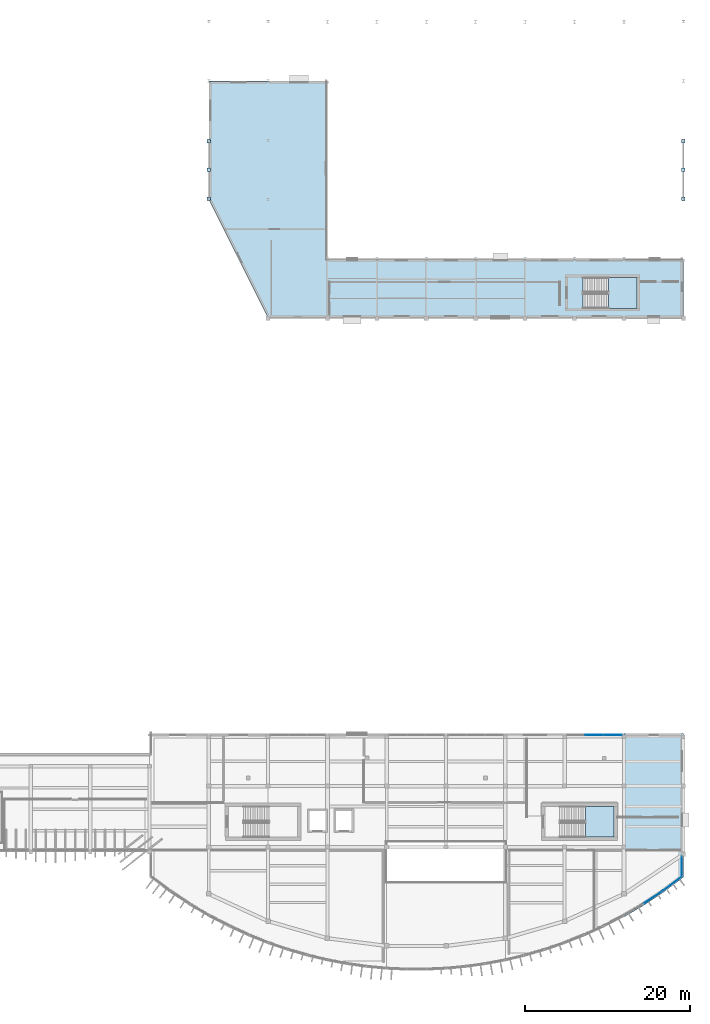
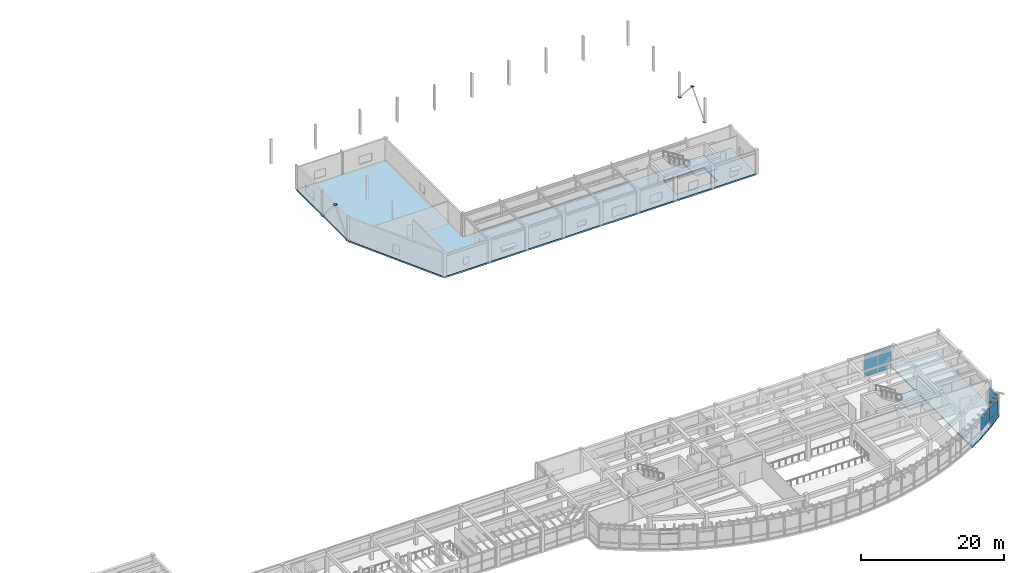
# One storey, part 34 of 60: 20 plates, 4 slabs, 6 elements without a shape of their own.
"""IFC4 building model written with IfcOpenShell, lengths in metres."""

import ifcopenshell
import ifcopenshell.guid

model = None  # the IFC model being written
_history = None  # IfcOwnerHistory: only IFC2X3 demands one
_inside = {}  # id of a spatial element -> (the spatial element, [elements in it])
_under = {}  # id of a project, library or spatial element -> (it, [spatial elements below it])
_declared = {}  # id of a project -> (the project, [libraries it declares])
_typed = {}  # id of a type object -> (the type object, [elements of that type])
_made_of = {}  # id of a material, layer set ... -> (it, [elements and type objects made of it])


def new_model(schema):
    """Start an empty IFC model of exactly this schema.

    Asked for "IFC4X3", IfcOpenShell would pick the latest addendum, in which some entities
    have other attributes; the version numbers below select the first issue.
    IFC2X3 requires an IfcOwnerHistory on every rooted entity: one is made here for all.
    """
    global model, _history
    if schema == "IFC4X3":
        model = ifcopenshell.file(schema_version=(4, 3, 0, 0))
    else:
        model = ifcopenshell.file(schema=schema)
    _inside.clear()
    _under.clear()
    _declared.clear()
    _typed.clear()
    _made_of.clear()
    _history = None
    if model.schema == "IFC2X3":
        org = make("IfcOrganization", Name="unknown")
        user = make(
            "IfcPersonAndOrganization",
            ThePerson=make("IfcPerson", FamilyName="unknown"),
            TheOrganization=org,
        )
        app = make(
            "IfcApplication",
            ApplicationDeveloper=org,
            Version="unknown",
            ApplicationFullName="unknown",
            ApplicationIdentifier="unknown",
        )
        _history = make(
            "IfcOwnerHistory",
            OwningUser=user,
            OwningApplication=app,
            ChangeAction="ADDED",
            CreationDate=0,
        )
    return model


def make(cls, **values):
    """One entity of the class cls with the attributes given. An attribute that is None is left unset."""
    return model.create_entity(
        cls, **{name: value for name, value in values.items() if value is not None}
    )


def rooted(cls, **values):
    """An entity with a GlobalId (a new one), such as an element, a storey or a relation."""
    return make(cls, GlobalId=ifcopenshell.guid.new(), OwnerHistory=_history, **values)


def si_unit(unit_type, name, prefix=None):
    """IfcSIUnit, for example si_unit("LENGTHUNIT", "METRE", prefix="MILLI")."""
    return make("IfcSIUnit", UnitType=unit_type, Prefix=prefix, Name=name)


def assignment(units):
    """IfcUnitAssignment: the units of a project."""
    return None if units is None else make("IfcUnitAssignment", Units=units)


def point(xyz):
    """IfcCartesianPoint."""
    return None if xyz is None else make("IfcCartesianPoint", Coordinates=xyz)


def direction(xyz):
    """IfcDirection."""
    return None if xyz is None else make("IfcDirection", DirectionRatios=xyz)


def frame(location, z_axis=None, x_axis=None):
    """IfcAxis2Placement3D, a coordinate frame: its origin and axes. An axis left out is left unset."""
    return make(
        "IfcAxis2Placement3D",
        Location=point(location),
        Axis=direction(z_axis),
        RefDirection=direction(x_axis),
    )


def frame_2d(location, x_axis=None):
    """IfcAxis2Placement2D, a coordinate frame in the plane: its origin and x axis."""
    return make(
        "IfcAxis2Placement2D", Location=point(location), RefDirection=direction(x_axis)
    )


def origin():
    """The frame at (0, 0, 0) with its axes left unset."""
    return frame((0.0, 0.0, 0.0))


def origin_2d():
    """The frame at (0, 0) in the plane with its x axis left unset."""
    return frame_2d((0.0, 0.0))


def place(relative_to, where):
    """IfcLocalPlacement: puts the frame where relative to a parent placement (None: the world)."""
    return make(
        "IfcLocalPlacement", PlacementRelTo=relative_to, RelativePlacement=where
    )


def context(
    kind, dimensions, precision=None, world=None, true_north=None, identifier=None
):
    """IfcGeometricRepresentationContext, for example the 3D "Model" context."""
    return make(
        "IfcGeometricRepresentationContext",
        ContextIdentifier=identifier,
        ContextType=kind,
        CoordinateSpaceDimension=dimensions,
        Precision=precision,
        WorldCoordinateSystem=world,
        TrueNorth=true_north,
    )


def subcontext(parent, identifier, kind, view, scale=None):
    """IfcGeometricRepresentationSubContext, for example "Body" below "Model"."""
    return make(
        "IfcGeometricRepresentationSubContext",
        ContextIdentifier=identifier,
        ContextType=kind,
        ParentContext=parent,
        TargetScale=scale,
        TargetView=view,
    )


def project(units=None, contexts=None):
    """IfcProject with its units and contexts."""
    return rooted(
        "IfcProject",
        Name="project",
        RepresentationContexts=contexts,
        UnitsInContext=assignment(units),
    )


def spatial(cls, under=None, at=None, **own):
    """A site, building, storey or space (cls), placed at a placement, below another one or the project."""
    s = rooted(cls, ObjectPlacement=at, **own)
    if under is not None:
        _under.setdefault(under.id(), (under, []))[1].append(s)
    return s


def polyline(points):
    """IfcPolyline through the points."""
    return make("IfcPolyline", Points=[point(p) for p in points])


def profile(cls, at=None, kind="AREA", **sizes):
    """A parametric profile (cls). Its sizes go by their IFC names, for example OverallWidth=200.0."""
    return make(cls, ProfileType=kind, Position=at, **sizes)


def rectangle(**sizes):
    """IfcRectangleProfileDef."""
    return profile("IfcRectangleProfileDef", **sizes)


def outline(outer, holes=None, kind="AREA"):
    """IfcArbitraryClosedProfileDef: a profile drawn as a closed curve; with holes, ...WithVoids."""
    if holes is None:
        return make("IfcArbitraryClosedProfileDef", ProfileType=kind, OuterCurve=outer)
    return make(
        "IfcArbitraryProfileDefWithVoids",
        ProfileType=kind,
        OuterCurve=outer,
        InnerCurves=holes,
    )


def extrude(swept, where, along, depth):
    """IfcExtrudedAreaSolid: the profile swept, set in the frame where, extruded along a direction by depth."""
    return make(
        "IfcExtrudedAreaSolid",
        SweptArea=swept,
        Position=where,
        ExtrudedDirection=direction(along),
        Depth=depth,
    )


def shape(context_of_items, identifier, shape_type, items):
    """IfcShapeRepresentation: the items that make up one representation, for example the "Body"."""
    return make(
        "IfcShapeRepresentation",
        ContextOfItems=context_of_items,
        RepresentationIdentifier=identifier,
        RepresentationType=shape_type,
        Items=items,
    )


def material(Name=None, Category=None):
    """IfcMaterial."""
    return make("IfcMaterial", Name=Name, Category=Category)


def layer(
    of_material, thickness, ventilated=None, Name=None, Category=None, Priority=None
):
    """IfcMaterialLayer: one layer of a wall or slab, of a material (None: an air gap)."""
    return make(
        "IfcMaterialLayer",
        Material=of_material,
        LayerThickness=thickness,
        IsVentilated=ventilated,
        Name=Name,
        Category=Category,
        Priority=Priority,
    )


def layer_set(layers, Name=None):
    """IfcMaterialLayerSet."""
    return make("IfcMaterialLayerSet", MaterialLayers=layers, LayerSetName=Name)


def made_of(thing, what):
    """Note that an element or type object is made of a material, layer set ...; save() writes the relation."""
    if what is not None:
        _made_of.setdefault(what.id(), (what, []))[1].append(thing)
    return thing


def type_object(cls, material=None, **own):
    """A type object (cls), such as IfcWallType, which elements share."""
    return made_of(rooted(cls, **own), material)


def element(
    cls,
    number,
    at=None,
    inside=None,
    cuts=None,
    type_object=None,
    material=None,
    context=None,
    identifier="Body",
    shape_type=None,
    held_by="IfcProductDefinitionShape",
    body=None,
    shapes=None,
    **own,
):
    """One element of the class cls, such as IfcWall. Its Tag is "e" and its number.

    at: its placement. inside: the storey or other place that contains it. cuts: it is an
    opening in that element (IfcRelVoidsElement). A single representation is given by context,
    identifier, shape_type and body (its items); several are given by shapes. held_by: the class
    of the entity that holds the representations. save() writes the other relations.
    """
    e = rooted(cls, Tag="e%d" % number, ObjectPlacement=at, **own)
    if body is not None:
        shapes = [shape(context, identifier, shape_type, body)]
    if shapes is not None:
        e.Representation = make(held_by, Representations=shapes)
    if inside is not None:
        _inside.setdefault(inside.id(), (inside, []))[1].append(e)
    if cuts is not None:
        rooted(
            "IfcRelVoidsElement", RelatingBuildingElement=cuts, RelatedOpeningElement=e
        )
    if type_object is not None:
        _typed.setdefault(type_object.id(), (type_object, []))[1].append(e)
    return made_of(e, material)


def aggregate(whole, parts):
    """IfcRelAggregates: a whole, such as a stair, and the parts it consists of."""
    return rooted("IfcRelAggregates", RelatingObject=whole, RelatedObjects=parts)


def save(model, path):
    """Write the relations noted so far, then the file.

    IfcRelAggregates (storeys below a building ...), IfcRelContainedInSpatialStructure (elements
    in a storey), IfcRelDefinesByType, IfcRelAssociatesMaterial and IfcRelDeclares: one each for
    every whole, place, type object, material and project.
    """
    for whole, parts in _under.values():
        aggregate(whole, parts)
    for where, things in _inside.values():
        rooted(
            "IfcRelContainedInSpatialStructure",
            RelatedElements=things,
            RelatingStructure=where,
        )
    for kind, things in _typed.values():
        rooted("IfcRelDefinesByType", RelatedObjects=things, RelatingType=kind)
    for what, things in _made_of.values():
        rooted("IfcRelAssociatesMaterial", RelatedObjects=things, RelatingMaterial=what)
    for by, libraries in _declared.values():
        rooted("IfcRelDeclares", RelatingContext=by, RelatedDefinitions=libraries)
    model.write(path)


model = new_model("IFC4")

# Units and contexts
model_context = context("Model", 3, precision=1e-05, world=origin(), true_north=direction((0.0, 1.0)))
body_context = subcontext(model_context, "Body", "Model", "MODEL_VIEW")
ifc_project = project(units=[si_unit("LENGTHUNIT", "METRE"), si_unit("AREAUNIT", "SQUARE_METRE"), si_unit("VOLUMEUNIT", "CUBIC_METRE"), si_unit("PLANEANGLEUNIT", "RADIAN"), si_unit("MASSUNIT", "GRAM", prefix="KILO")], contexts=[model_context])

# Site, building, storey
site_placement = place(None, origin())
site = spatial("IfcSite", under=ifc_project, at=site_placement, CompositionType="ELEMENT")
building_placement = place(site_placement, origin())
building = spatial("IfcBuilding", under=site, at=building_placement, Name="Brisavento Harbour Community Centre", CompositionType="ELEMENT")
storey_placement = place(building_placement, frame((0.0, 0.0, 4.5)))
storey = spatial("IfcBuildingStorey", under=building, at=storey_placement, Name="L01", CompositionType="ELEMENT", Elevation=4.5)

# Curtain wall, plates
ifc_material_1 = material(Name="Marine-anodised aluminium AW-6063-T6", Category="aluminium")
ifc_layer_1 = layer(ifc_material_1, 0.179931640625, Name="Marine-anodised aluminium AW-6063-T6")
ifc_layer_set_1 = layer_set([ifc_layer_1], Name="Marine-anodised aluminium AW-6063-T6")
curtain_wall_type_1 = type_object("IfcCurtainWallType", Name="CW-SYS-27", PredefinedType="USERDEFINED", material=ifc_layer_set_1)
curtain_wall_1_placement = place(storey_placement, origin())
curtain_wall_1 = element("IfcCurtainWall", 1, at=curtain_wall_1_placement, inside=storey, type_object=curtain_wall_type_1, Name="L01 V3 unitised curtain wall 083", ObjectType="UNITISED CURTAIN WALL", PredefinedType="USERDEFINED")
ifc_material_2 = material(Name="Solar-control laminated low-E glass", Category="glass")
ifc_layer_2 = layer(ifc_material_2, 0.031982421875, Name="Solar-control laminated low-E glass")
ifc_layer_set_2 = layer_set([ifc_layer_2], Name="Solar-control laminated low-E glass")
plate_type_1 = type_object("IfcPlateType", Name="CWP-GLZ-3", PredefinedType="CURTAIN_PANEL", material=ifc_layer_set_2)
plate_1_placement = place(storey_placement, frame((169.100341796875, 8.877685546875, 0.9375), z_axis=(0.0, 0.0, 1.0), x_axis=(-0.832471558705, -0.554067779199, 0.0)))
plate_1 = element("IfcPlate", 2, at=plate_1_placement, type_object=plate_type_1, Name="CW-27 panel 1.2", PredefinedType="CURTAIN_PANEL", context=body_context, shape_type="SweptSolid", body=[
    extrude(rectangle(XDim=2.697021484375, YDim=0.031982421875, at=origin_2d()), origin(), (0.0, 0.0, 1.0), 1.72509765625),
])
plate_2_placement = place(storey_placement, frame((169.100341796875, 8.877685546875, 2.737548828125), z_axis=(0.0, 0.0, 1.0), x_axis=(-0.832471558705, -0.554067779199, 0.0)))
plate_2 = element("IfcPlate", 3, at=plate_2_placement, type_object=plate_type_1, Name="CW-27 panel 1.3", PredefinedType="CURTAIN_PANEL", context=body_context, shape_type="SweptSolid", body=[
    extrude(rectangle(XDim=2.697021484375, YDim=0.031982421875, at=origin_2d()), origin(), (0.0, 0.0, 1.0), 0.53759765625),
])
aggregate(curtain_wall_1, [plate_1, plate_2])

ifc_layer_3 = layer(ifc_material_1, 0.179931640625, Name="Marine-anodised aluminium AW-6063-T6")
ifc_layer_set_3 = layer_set([ifc_layer_3], Name="Marine-anodised aluminium AW-6063-T6")
curtain_wall_type_2 = type_object("IfcCurtainWallType", Name="CW-SYS-28", PredefinedType="USERDEFINED", material=ifc_layer_set_3)
curtain_wall_2_placement = place(storey_placement, origin())
curtain_wall_2 = element("IfcCurtainWall", 4, at=curtain_wall_2_placement, inside=storey, type_object=curtain_wall_type_2, Name="L01 V3 unitised curtain wall 084", ObjectType="UNITISED CURTAIN WALL", PredefinedType="USERDEFINED")
ifc_layer_4 = layer(ifc_material_2, 0.035888671875, Name="Solar-control laminated low-E glass")
ifc_layer_set_4 = layer_set([ifc_layer_4], Name="Solar-control laminated low-E glass")
plate_type_2 = type_object("IfcPlateType", Name="CWP-GLZ-4", PredefinedType="CURTAIN_PANEL", material=ifc_layer_set_4)
plate_3_placement = place(storey_placement, frame((171.491943359375, 10.571044921875, 0.080078125), z_axis=(0.0, 0.0, 1.0), x_axis=(-0.79980567328, -0.600259014917, 0.0)))
plate_3 = element("IfcPlate", 5, at=plate_3_placement, type_object=plate_type_2, Name="CW-28 panel 1.1", PredefinedType="CURTAIN_PANEL", context=body_context, shape_type="SweptSolid", body=[
    extrude(rectangle(XDim=2.8046875, YDim=0.035888671875, at=origin_2d()), origin(), (0.0, 0.0, 1.0), 0.780029296875),
])
plate_4_placement = place(storey_placement, frame((171.491943359375, 10.571044921875, 0.93994140625), z_axis=(0.0, 0.0, 1.0), x_axis=(-0.79980567328, -0.600259014917, 0.0)))
plate_4 = element("IfcPlate", 6, at=plate_4_placement, type_object=plate_type_2, Name="CW-28 panel 1.2", PredefinedType="CURTAIN_PANEL", context=body_context, shape_type="SweptSolid", body=[
    extrude(rectangle(XDim=2.8046875, YDim=0.035888671875, at=origin_2d()), origin(), (0.0, 0.0, 1.0), 1.719970703125),
])
plate_5_placement = place(storey_placement, frame((171.491943359375, 10.571044921875, 2.73974609375), z_axis=(0.0, 0.0, 1.0), x_axis=(-0.79980567328, -0.600259014917, 0.0)))
plate_5 = element("IfcPlate", 7, at=plate_5_placement, type_object=plate_type_2, Name="CW-28 panel 1.3", PredefinedType="CURTAIN_PANEL", context=body_context, shape_type="SweptSolid", body=[
    extrude(rectangle(XDim=2.8046875, YDim=0.035888671875, at=origin_2d()), origin(), (0.0, 0.0, 1.0), 0.530029296875),
])
aggregate(curtain_wall_2, [plate_3, plate_4, plate_5])

ifc_layer_5 = layer(ifc_material_1, 0.179931640625, Name="Marine-anodised aluminium AW-6063-T6")
ifc_layer_set_5 = layer_set([ifc_layer_5], Name="Marine-anodised aluminium AW-6063-T6")
curtain_wall_type_3 = type_object("IfcCurtainWallType", Name="CW-SYS-05", PredefinedType="USERDEFINED", material=ifc_layer_set_5)
curtain_wall_3_placement = place(storey_placement, origin())
curtain_wall_3 = element("IfcCurtainWall", 8, at=curtain_wall_3_placement, inside=storey, type_object=curtain_wall_type_3, Name="L01 V3 unitised curtain wall 089", ObjectType="UNITISED CURTAIN WALL", PredefinedType="USERDEFINED")
plate_6_placement = place(storey_placement, frame((162.0, 28.6201171875, 0.06494140625), z_axis=(0.0, 0.0, 1.0), x_axis=(1.0, 0.0, 0.0)))
plate_6 = element("IfcPlate", 9, at=plate_6_placement, type_object=plate_type_2, Name="CW-05 panel 2.1", PredefinedType="CURTAIN_PANEL", context=body_context, shape_type="SweptSolid", body=[
    extrude(rectangle(XDim=2.195068359375, YDim=0.035888671875, at=origin_2d()), origin(), (0.0, 0.0, 1.0), 0.802490234375),
])
plate_7_placement = place(storey_placement, frame((162.0, 28.6201171875, 0.9326171875), z_axis=(0.0, 0.0, 1.0), x_axis=(1.0, 0.0, 0.0)))
plate_7 = element("IfcPlate", 10, at=plate_7_placement, type_object=plate_type_2, Name="CW-05 panel 2.2", PredefinedType="CURTAIN_PANEL", context=body_context, shape_type="SweptSolid", body=[
    extrude(rectangle(XDim=2.195068359375, YDim=0.035888671875, at=origin_2d()), origin(), (0.0, 0.0, 1.0), 2.3349609375),
])
plate_8_placement = place(storey_placement, frame((162.0, 28.6201171875, 3.33251953125), z_axis=(0.0, 0.0, 1.0), x_axis=(1.0, 0.0, 0.0)))
plate_8 = element("IfcPlate", 11, at=plate_8_placement, type_object=plate_type_2, Name="CW-05 panel 2.3", PredefinedType="CURTAIN_PANEL", context=body_context, shape_type="SweptSolid", body=[
    extrude(rectangle(XDim=2.195068359375, YDim=0.035888671875, at=origin_2d()), origin(), (0.0, 0.0, 1.0), 0.552490234375),
])
plate_9_placement = place(storey_placement, frame((164.24365234375, 28.6201171875, 0.06494140625), z_axis=(0.0, 0.0, 1.0), x_axis=(1.0, 0.0, 0.0)))
plate_9 = element("IfcPlate", 12, at=plate_9_placement, type_object=plate_type_2, Name="CW-05 panel 3.1", PredefinedType="CURTAIN_PANEL", context=body_context, shape_type="SweptSolid", body=[
    extrude(rectangle(XDim=2.16259765625, YDim=0.035888671875, at=origin_2d()), origin(), (0.0, 0.0, 1.0), 0.802490234375),
])
plate_10_placement = place(storey_placement, frame((164.24365234375, 28.6201171875, 0.9326171875), z_axis=(0.0, 0.0, 1.0), x_axis=(1.0, 0.0, 0.0)))
plate_10 = element("IfcPlate", 13, at=plate_10_placement, type_object=plate_type_2, Name="CW-05 panel 3.2", PredefinedType="CURTAIN_PANEL", context=body_context, shape_type="SweptSolid", body=[
    extrude(rectangle(XDim=2.16259765625, YDim=0.035888671875, at=origin_2d()), origin(), (0.0, 0.0, 1.0), 2.3349609375),
])
plate_11_placement = place(storey_placement, frame((164.24365234375, 28.6201171875, 3.33251953125), z_axis=(0.0, 0.0, 1.0), x_axis=(1.0, 0.0, 0.0)))
plate_11 = element("IfcPlate", 14, at=plate_11_placement, type_object=plate_type_2, Name="CW-05 panel 3.3", PredefinedType="CURTAIN_PANEL", context=body_context, shape_type="SweptSolid", body=[
    extrude(rectangle(XDim=2.16259765625, YDim=0.035888671875, at=origin_2d()), origin(), (0.0, 0.0, 1.0), 0.552490234375),
])
aggregate(curtain_wall_3, [plate_6, plate_7, plate_8, plate_9, plate_10, plate_11])

ifc_layer_6 = layer(ifc_material_1, 0.179931640625, Name="Marine-anodised aluminium AW-6063-T6")
ifc_layer_set_6 = layer_set([ifc_layer_6], Name="Marine-anodised aluminium AW-6063-T6")
curtain_wall_type_4 = type_object("IfcCurtainWallType", Name="CW-SYS-01", PredefinedType="USERDEFINED", material=ifc_layer_set_6)
curtain_wall_4_placement = place(storey_placement, origin())
curtain_wall_4 = element("IfcCurtainWall", 15, at=curtain_wall_4_placement, inside=storey, type_object=curtain_wall_type_4, Name="L01 V3 unitised curtain wall 085", ObjectType="UNITISED CURTAIN WALL", PredefinedType="USERDEFINED")
ifc_layer_7 = layer(ifc_material_2, 0.0400390625, Name="Solar-control laminated low-E glass")
ifc_layer_set_7 = layer_set([ifc_layer_7], Name="Solar-control laminated low-E glass")
plate_type_3 = type_object("IfcPlateType", Name="CWP-GLZ-5", PredefinedType="CURTAIN_PANEL", material=ifc_layer_set_7)
plate_12_placement = place(storey_placement, frame((172.6201171875, 12.60693359375, 0.06494140625), z_axis=(0.0, 0.0, 1.0), x_axis=(0.0, -1.0, 0.0)))
plate_12 = element("IfcPlate", 16, at=plate_12_placement, type_object=plate_type_3, Name="CW-01 panel 1.1", PredefinedType="CURTAIN_PANEL", context=body_context, shape_type="SweptSolid", body=[
    extrude(rectangle(XDim=2.392333984375, YDim=0.0400390625, at=origin_2d()), origin(), (0.0, 0.0, 1.0), 0.802490234375),
])
plate_13_placement = place(storey_placement, frame((172.6201171875, 12.60693359375, 0.9326171875), z_axis=(0.0, 0.0, 1.0), x_axis=(0.0, -1.0, 0.0)))
plate_13 = element("IfcPlate", 17, at=plate_13_placement, type_object=plate_type_3, Name="CW-01 panel 1.2", PredefinedType="CURTAIN_PANEL", context=body_context, shape_type="SweptSolid", body=[
    extrude(rectangle(XDim=2.392333984375, YDim=0.0400390625, at=origin_2d()), origin(), (0.0, 0.0, 1.0), 1.735107421875),
])
plate_14_placement = place(storey_placement, frame((172.6201171875, 12.60693359375, 2.732421875), z_axis=(0.0, 0.0, 1.0), x_axis=(0.0, -1.0, 0.0)))
plate_14 = element("IfcPlate", 18, at=plate_14_placement, type_object=plate_type_3, Name="CW-01 panel 1.3", PredefinedType="CURTAIN_PANEL", context=body_context, shape_type="SweptSolid", body=[
    extrude(rectangle(XDim=2.392333984375, YDim=0.0400390625, at=origin_2d()), origin(), (0.0, 0.0, 1.0), 0.552490234375),
])
aggregate(curtain_wall_4, [plate_12, plate_13, plate_14])

# Plates
ifc_material_3 = material(Name="Steel S355", Category="steel")
ifc_layer_8 = layer(ifc_material_3, 0.02001953125, Name="Steel S355")
ifc_layer_set_8 = layer_set([ifc_layer_8], Name="Steel S355")
plate_type_4 = type_object("IfcPlateType", Name="PLT-GUS-2", PredefinedType="USERDEFINED", material=ifc_layer_set_8)
for number, where, z_axis, x_axis, name in (
    (19, (172.800048828125, 93.716796875, -0.013671875), (0.0, 0.0, 1.0), (0.0, 1.0, 0.0), "V4-CBF-2-1 hollow-end cap plate 1"),
    (20, (172.800048828125, 97.203369140625, 3.94384765625), (0.0, 0.0, 1.0), (0.0, 1.0, 0.0), "V4-CBF-2-1 hollow-end cap plate 2"),
    (21, (172.800048828125, 100.683349609375, -0.013671875), (0.0, 0.0, 1.0), (0.0, -1.0, 0.0), "V4-CBF-2-2 hollow-end cap plate 1"),
    (22, (115.199951171875, 93.716796875, -0.013671875), (0.0, 0.0, 1.0), (0.0, 1.0, 0.0), "V4-CBF-5-1 hollow-end cap plate 1"),
    (23, (115.199951171875, 97.203369140625, 3.94384765625), (0.0, 0.0, 1.0), (0.0, 1.0, 0.0), "V4-CBF-5-1 hollow-end cap plate 2"),
    (24, (115.199951171875, 100.683349609375, -0.013671875), (0.0, 0.0, 1.0), (0.0, -1.0, 0.0), "V4-CBF-5-2 hollow-end cap plate 1"),
):
    element("IfcPlate", number, at=place(storey_placement, frame(where, z_axis=z_axis, x_axis=x_axis)), inside=storey, type_object=plate_type_4, Name=name, ObjectType="GUSSET PLATE", PredefinedType="USERDEFINED", context=body_context, shape_type="SweptSolid", body=[
        extrude(rectangle(XDim=0.419921875, YDim=0.419921875, at=origin_2d()), origin(), (0.0, 0.0, 1.0), 0.02001953125),
    ])

# Slabs
ifc_material_4 = material(Name="Concrete C35/45", Category="concrete")
ifc_layer_9 = layer(ifc_material_4, 0.260009765625, Name="Concrete C35/45")
ifc_layer_set_9 = layer_set([ifc_layer_9], Name="Concrete C35/45")
slab_type_1 = type_object("IfcSlabType", Name="SLB-FLR-260", PredefinedType="FLOOR", material=ifc_layer_set_9)
slab_1_placement = place(storey_placement, frame((0.0, 0.0, -0.260009765625)))
element("IfcSlab", 25, at=slab_1_placement, inside=storey, type_object=slab_type_1, Name="L01 V3 structural floor slab 028", PredefinedType="FLOOR", context=body_context, shape_type="SweptSolid", body=[
    extrude(outline(polyline([(165.60009765625, 28.800048828125), (165.60009765625, 6.51416015625), (168.0, 7.92919921875), (170.39990234375, 9.526611328125), (172.800048828125, 11.32763671875), (172.800048828125, 28.800048828125), (165.60009765625, 28.800048828125)])), origin(), (0.0, 0.0, 1.0), 0.260009765625),
])
slab_2_placement = place(storey_placement, frame((0.0, 0.0, -0.260009765625)))
element("IfcSlab", 26, at=slab_2_placement, inside=storey, type_object=slab_type_1, Name="L01 V4 structural floor slab 029", PredefinedType="FLOOR", context=body_context, shape_type="SweptSolid", body=[
    extrude(outline(polyline([(122.39990234375, 79.199951171875), (172.800048828125, 79.199951171875), (172.800048828125, 86.39990234375), (129.60009765625, 86.39990234375), (129.60009765625, 108.0), (115.199951171875, 108.0), (115.199951171875, 93.60009765625), (122.39990234375, 79.199951171875)]), holes=[polyline([(160.60791015625, 80.407958984375), (160.60791015625, 84.14208984375), (167.19189453125, 84.14208984375), (167.19189453125, 80.407958984375), (160.60791015625, 80.407958984375)])]), origin(), (0.0, 0.0, 1.0), 0.260009765625),
])

# Stair, slab
stair_type = type_object("IfcStairType", Name="STR-DL-4200", PredefinedType="HALF_TURN_STAIR", material=ifc_material_4)
stair_1_placement = place(storey_placement, origin())
stair_1 = element("IfcStair", 27, at=stair_1_placement, inside=storey, type_object=stair_type, Name="L01 ST-05", PredefinedType="HALF_TURN_STAIR")
ifc_layer_10 = layer(ifc_material_4, 0.199951171875, Name="Concrete C35/45")
ifc_layer_set_10 = layer_set([ifc_layer_10], Name="Concrete C35/45")
slab_type_2 = type_object("IfcSlabType", Name="SLB-LND-200", PredefinedType="LANDING", material=ifc_layer_set_10)
slab_3_placement = place(storey_placement, frame((0.0, 0.0, 1.89990234375)))
slab_3 = element("IfcSlab", 28, at=slab_3_placement, type_object=slab_type_2, Name="ST-05 landing 1", PredefinedType="LANDING", context=body_context, shape_type="SweptSolid", body=[
    extrude(outline(polyline([(160.93505859375, 16.199951171875), (164.39990234375, 16.199951171875), (164.39990234375, 19.949951171875), (160.93505859375, 19.949951171875), (160.93505859375, 16.199951171875)])), origin(), (0.0, 0.0, 1.0), 0.2001953125),
])
aggregate(stair_1, [slab_3])

stair_2_placement = place(storey_placement, origin())
stair_2 = element("IfcStair", 29, at=stair_2_placement, inside=storey, type_object=stair_type, Name="L01 ST-06", PredefinedType="HALF_TURN_STAIR")
slab_4_placement = place(storey_placement, frame((0.0, 0.0, 1.89990234375)))
slab_4 = element("IfcSlab", 30, at=slab_4_placement, type_object=slab_type_2, Name="ST-06 landing 1", PredefinedType="LANDING", context=body_context, shape_type="SweptSolid", body=[
    extrude(outline(polyline([(163.735107421875, 80.39990234375), (167.199951171875, 80.39990234375), (167.199951171875, 84.14990234375), (163.735107421875, 84.14990234375), (163.735107421875, 80.39990234375)])), origin(), (0.0, 0.0, 1.0), 0.2001953125),
])
aggregate(stair_2, [slab_4])

save(model, "model.ifc")
